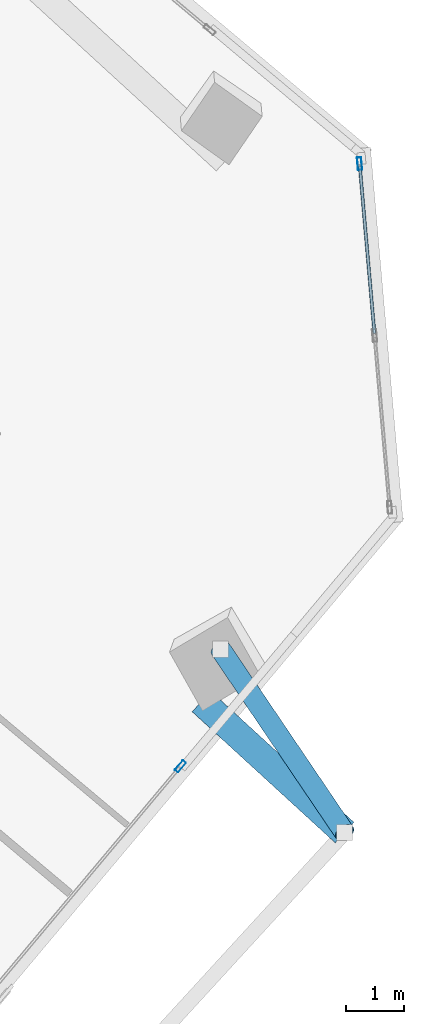
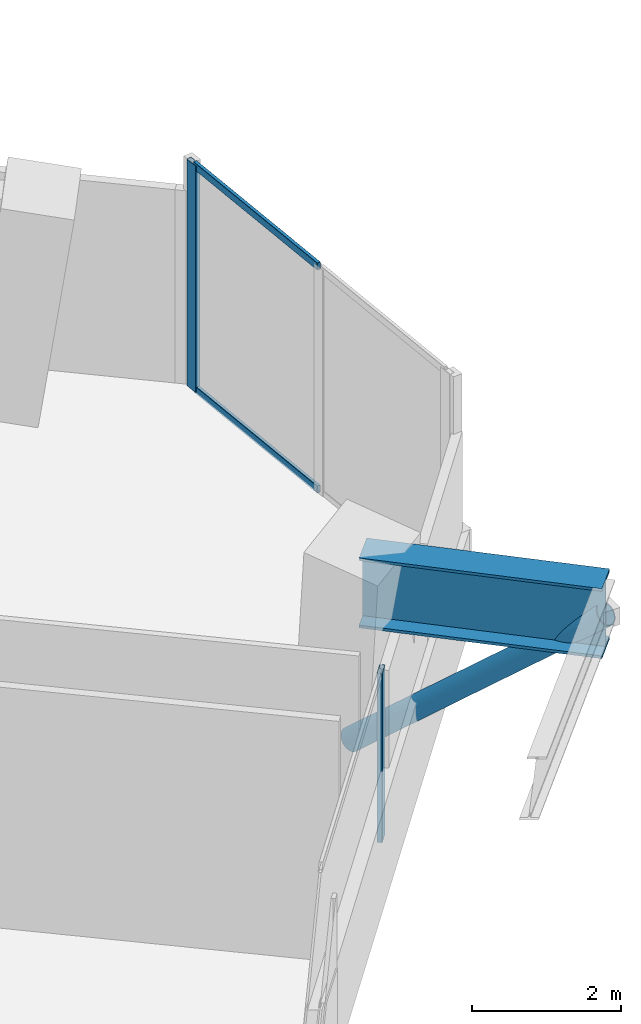
# One storey, part 7 of 18: 5 members, 1 beam, 2 elements without a shape of their own.
"""IFC4 building model written with IfcOpenShell, lengths in metres."""

import ifcopenshell
import ifcopenshell.guid

model = None  # the IFC model being written
_history = None  # IfcOwnerHistory: only IFC2X3 demands one
_inside = {}  # id of a spatial element -> (the spatial element, [elements in it])
_under = {}  # id of a project, library or spatial element -> (it, [spatial elements below it])
_declared = {}  # id of a project -> (the project, [libraries it declares])
_typed = {}  # id of a type object -> (the type object, [elements of that type])
_made_of = {}  # id of a material, layer set ... -> (it, [elements and type objects made of it])


def new_model(schema):
    """Start an empty IFC model of exactly this schema.

    Asked for "IFC4X3", IfcOpenShell would pick the latest addendum, in which some entities
    have other attributes; the version numbers below select the first issue.
    IFC2X3 requires an IfcOwnerHistory on every rooted entity: one is made here for all.
    """
    global model, _history
    if schema == "IFC4X3":
        model = ifcopenshell.file(schema_version=(4, 3, 0, 0))
    else:
        model = ifcopenshell.file(schema=schema)
    _inside.clear()
    _under.clear()
    _declared.clear()
    _typed.clear()
    _made_of.clear()
    _history = None
    if model.schema == "IFC2X3":
        org = make("IfcOrganization", Name="unknown")
        user = make(
            "IfcPersonAndOrganization",
            ThePerson=make("IfcPerson", FamilyName="unknown"),
            TheOrganization=org,
        )
        app = make(
            "IfcApplication",
            ApplicationDeveloper=org,
            Version="unknown",
            ApplicationFullName="unknown",
            ApplicationIdentifier="unknown",
        )
        _history = make(
            "IfcOwnerHistory",
            OwningUser=user,
            OwningApplication=app,
            ChangeAction="ADDED",
            CreationDate=0,
        )
    return model


def make(cls, **values):
    """One entity of the class cls with the attributes given. An attribute that is None is left unset."""
    return model.create_entity(
        cls, **{name: value for name, value in values.items() if value is not None}
    )


def rooted(cls, **values):
    """An entity with a GlobalId (a new one), such as an element, a storey or a relation."""
    return make(cls, GlobalId=ifcopenshell.guid.new(), OwnerHistory=_history, **values)


def si_unit(unit_type, name, prefix=None):
    """IfcSIUnit, for example si_unit("LENGTHUNIT", "METRE", prefix="MILLI")."""
    return make("IfcSIUnit", UnitType=unit_type, Prefix=prefix, Name=name)


def assignment(units):
    """IfcUnitAssignment: the units of a project."""
    return None if units is None else make("IfcUnitAssignment", Units=units)


def point(xyz):
    """IfcCartesianPoint."""
    return None if xyz is None else make("IfcCartesianPoint", Coordinates=xyz)


def direction(xyz):
    """IfcDirection."""
    return None if xyz is None else make("IfcDirection", DirectionRatios=xyz)


def frame(location, z_axis=None, x_axis=None):
    """IfcAxis2Placement3D, a coordinate frame: its origin and axes. An axis left out is left unset."""
    return make(
        "IfcAxis2Placement3D",
        Location=point(location),
        Axis=direction(z_axis),
        RefDirection=direction(x_axis),
    )


def frame_2d(location, x_axis=None):
    """IfcAxis2Placement2D, a coordinate frame in the plane: its origin and x axis."""
    return make(
        "IfcAxis2Placement2D", Location=point(location), RefDirection=direction(x_axis)
    )


def origin():
    """The frame at (0, 0, 0) with its axes left unset."""
    return frame((0.0, 0.0, 0.0))


def origin_2d():
    """The frame at (0, 0) in the plane with its x axis left unset."""
    return frame_2d((0.0, 0.0))


def place(relative_to, where):
    """IfcLocalPlacement: puts the frame where relative to a parent placement (None: the world)."""
    return make(
        "IfcLocalPlacement", PlacementRelTo=relative_to, RelativePlacement=where
    )


def context(
    kind, dimensions, precision=None, world=None, true_north=None, identifier=None
):
    """IfcGeometricRepresentationContext, for example the 3D "Model" context."""
    return make(
        "IfcGeometricRepresentationContext",
        ContextIdentifier=identifier,
        ContextType=kind,
        CoordinateSpaceDimension=dimensions,
        Precision=precision,
        WorldCoordinateSystem=world,
        TrueNorth=true_north,
    )


def subcontext(parent, identifier, kind, view, scale=None):
    """IfcGeometricRepresentationSubContext, for example "Body" below "Model"."""
    return make(
        "IfcGeometricRepresentationSubContext",
        ContextIdentifier=identifier,
        ContextType=kind,
        ParentContext=parent,
        TargetScale=scale,
        TargetView=view,
    )


def project(units=None, contexts=None):
    """IfcProject with its units and contexts."""
    return rooted(
        "IfcProject",
        Name="project",
        RepresentationContexts=contexts,
        UnitsInContext=assignment(units),
    )


def spatial(cls, under=None, at=None, **own):
    """A site, building, storey or space (cls), placed at a placement, below another one or the project."""
    s = rooted(cls, ObjectPlacement=at, **own)
    if under is not None:
        _under.setdefault(under.id(), (under, []))[1].append(s)
    return s


def profile(cls, at=None, kind="AREA", **sizes):
    """A parametric profile (cls). Its sizes go by their IFC names, for example OverallWidth=200.0."""
    return make(cls, ProfileType=kind, Position=at, **sizes)


def hollow_rectangle(**sizes):
    """IfcRectangleHollowProfileDef."""
    return profile("IfcRectangleHollowProfileDef", **sizes)


def hollow_circle(**sizes):
    """IfcCircleHollowProfileDef."""
    return profile("IfcCircleHollowProfileDef", **sizes)


def i_section(**sizes):
    """IfcIShapeProfileDef."""
    return profile("IfcIShapeProfileDef", **sizes)


def extrude(swept, where, along, depth):
    """IfcExtrudedAreaSolid: the profile swept, set in the frame where, extruded along a direction by depth."""
    return make(
        "IfcExtrudedAreaSolid",
        SweptArea=swept,
        Position=where,
        ExtrudedDirection=direction(along),
        Depth=depth,
    )


def shape(context_of_items, identifier, shape_type, items):
    """IfcShapeRepresentation: the items that make up one representation, for example the "Body"."""
    return make(
        "IfcShapeRepresentation",
        ContextOfItems=context_of_items,
        RepresentationIdentifier=identifier,
        RepresentationType=shape_type,
        Items=items,
    )


def source(mapping_origin, context_of_items, identifier, shape_type, items):
    """IfcRepresentationMap: a shape defined once, which mapped items show again and again."""
    return make(
        "IfcRepresentationMap",
        MappingOrigin=mapping_origin,
        MappedRepresentation=shape(context_of_items, identifier, shape_type, items),
    )


def transform(
    local_origin,
    x_axis=None,
    y_axis=None,
    z_axis=None,
    scale=None,
    scale2=None,
    scale3=None,
    uniform=True,
):
    """IfcCartesianTransformationOperator3D, or its non-uniform kind. x_axis, y_axis, z_axis: its Axis1, 2, 3."""
    if uniform:
        return make(
            "IfcCartesianTransformationOperator3D",
            Axis1=direction(x_axis),
            Axis2=direction(y_axis),
            LocalOrigin=point(local_origin),
            Scale=scale,
            Axis3=direction(z_axis),
        )
    return make(
        "IfcCartesianTransformationOperator3DnonUniform",
        Axis1=direction(x_axis),
        Axis2=direction(y_axis),
        LocalOrigin=point(local_origin),
        Scale=scale,
        Axis3=direction(z_axis),
        Scale2=scale2,
        Scale3=scale3,
    )


def mapped(mapping_source, mapping_target):
    """IfcMappedItem: shows the shape of a source again, moved by a transform."""
    return make(
        "IfcMappedItem", MappingSource=mapping_source, MappingTarget=mapping_target
    )


def material(Name=None, Category=None):
    """IfcMaterial."""
    return make("IfcMaterial", Name=Name, Category=Category)


def material_profile(
    of_material, cross_section, Name=None, Category=None, Priority=None
):
    """IfcMaterialProfile: a cross section and its material."""
    return make(
        "IfcMaterialProfile",
        Name=Name,
        Material=of_material,
        Profile=cross_section,
        Priority=Priority,
        Category=Category,
    )


def profile_set(profiles, Name=None, composite=None):
    """IfcMaterialProfileSet."""
    return make(
        "IfcMaterialProfileSet",
        Name=Name,
        MaterialProfiles=profiles,
        CompositeProfile=composite,
    )


def made_of(thing, what):
    """Note that an element or type object is made of a material, layer set ...; save() writes the relation."""
    if what is not None:
        _made_of.setdefault(what.id(), (what, []))[1].append(thing)
    return thing


def type_object(cls, material=None, **own):
    """A type object (cls), such as IfcWallType, which elements share."""
    return made_of(rooted(cls, **own), material)


def element(
    cls,
    number,
    at=None,
    inside=None,
    cuts=None,
    type_object=None,
    material=None,
    context=None,
    identifier="Body",
    shape_type=None,
    held_by="IfcProductDefinitionShape",
    body=None,
    shapes=None,
    **own,
):
    """One element of the class cls, such as IfcWall. Its Tag is "e" and its number.

    at: its placement. inside: the storey or other place that contains it. cuts: it is an
    opening in that element (IfcRelVoidsElement). A single representation is given by context,
    identifier, shape_type and body (its items); several are given by shapes. held_by: the class
    of the entity that holds the representations. save() writes the other relations.
    """
    e = rooted(cls, Tag="e%d" % number, ObjectPlacement=at, **own)
    if body is not None:
        shapes = [shape(context, identifier, shape_type, body)]
    if shapes is not None:
        e.Representation = make(held_by, Representations=shapes)
    if inside is not None:
        _inside.setdefault(inside.id(), (inside, []))[1].append(e)
    if cuts is not None:
        rooted(
            "IfcRelVoidsElement", RelatingBuildingElement=cuts, RelatedOpeningElement=e
        )
    if type_object is not None:
        _typed.setdefault(type_object.id(), (type_object, []))[1].append(e)
    return made_of(e, material)


def aggregate(whole, parts):
    """IfcRelAggregates: a whole, such as a stair, and the parts it consists of."""
    return rooted("IfcRelAggregates", RelatingObject=whole, RelatedObjects=parts)


def save(model, path):
    """Write the relations noted so far, then the file.

    IfcRelAggregates (storeys below a building ...), IfcRelContainedInSpatialStructure (elements
    in a storey), IfcRelDefinesByType, IfcRelAssociatesMaterial and IfcRelDeclares: one each for
    every whole, place, type object, material and project.
    """
    for whole, parts in _under.values():
        aggregate(whole, parts)
    for where, things in _inside.values():
        rooted(
            "IfcRelContainedInSpatialStructure",
            RelatedElements=things,
            RelatingStructure=where,
        )
    for kind, things in _typed.values():
        rooted("IfcRelDefinesByType", RelatedObjects=things, RelatingType=kind)
    for what, things in _made_of.values():
        rooted("IfcRelAssociatesMaterial", RelatedObjects=things, RelatingMaterial=what)
    for by, libraries in _declared.values():
        rooted("IfcRelDeclares", RelatingContext=by, RelatedDefinitions=libraries)
    model.write(path)


model = new_model("IFC4")

# Units and contexts
model_context = context("Model", 3, precision=1e-05, world=origin(), true_north=direction((0.0, 1.0)))
body_context = subcontext(model_context, "Body", "Model", "MODEL_VIEW")
ifc_project = project(units=[si_unit("LENGTHUNIT", "METRE"), si_unit("AREAUNIT", "SQUARE_METRE"), si_unit("VOLUMEUNIT", "CUBIC_METRE"), si_unit("PLANEANGLEUNIT", "RADIAN"), si_unit("MASSUNIT", "GRAM", prefix="KILO")], contexts=[model_context])

# Site, building, storey
site_placement = place(None, origin())
site = spatial("IfcSite", under=ifc_project, at=site_placement, CompositionType="ELEMENT")
building_placement = place(site_placement, origin())
building = spatial("IfcBuilding", under=site, at=building_placement, Name="Torre Montelarca", CompositionType="ELEMENT")
storey_placement = place(building_placement, frame((0.0, 0.0, 224.800048828125)))
storey = spatial("IfcBuildingStorey", under=building, at=storey_placement, Name="L50", CompositionType="ELEMENT", Elevation=224.800048828125)

# Member
ifc_material_1 = material(Name="Steel ASTM A500 Grade C", Category="steel")
ifc_material_profile_1 = material_profile(ifc_material_1, hollow_circle(Radius=0.177734375, WallThickness=0.015869140625, at=origin_2d()), Name="HSS355.6X15.9", Category="steel")
ifc_profile_set_1 = profile_set([ifc_material_profile_1], Name="Steel ASTM A500 Grade C")
member_type_1 = type_object("IfcMemberType", Name="MB-BR-CHS356-EXT", PredefinedType="BRACE", material=ifc_profile_set_1)
shared_shape_1 = source(origin(), body_context, "Body", "SweptSolid", [
    extrude(hollow_circle(Radius=0.177734375, WallThickness=0.015869140625, at=origin_2d()), origin(), (0.0, 0.0, 1.0), 5.0078125),
])
member_1_placement = place(storey_placement, frame((42.34619140625, 24.951171875, 0.14990234375), z_axis=(0.427842984367, -0.632160435083, 0.64600585527), x_axis=(0.828158729493, 0.560493638469, 0.0)))
element("IfcMember", 1, at=member_1_placement, inside=storey, type_object=member_type_1, Name="L51 Sliding Tray Exterior Diagonal Raker Strut E3", PredefinedType="BRACE", context=body_context, shape_type="MappedRepresentation", body=[
    mapped(shared_shape_1, transform((0.0, 0.0, 0.0), scale=1.0)),
])

# Beam
ifc_material_2 = material(Name="Steel ASTM A572 Grade 50", Category="steel")
ifc_material_profile_2 = material_profile(ifc_material_2, i_section(OverallWidth=0.47998046875, OverallDepth=1.14990234375, WebThickness=0.02197265625, FlangeThickness=0.044921875, at=origin_2d()), Name="PG1150X480X22X45", Category="steel")
ifc_profile_set_2 = profile_set([ifc_material_profile_2], Name="Steel ASTM A572 Grade 50")
beam_type = type_object("IfcBeamType", Name="BM-CG-PG1400-EXT", PredefinedType="USERDEFINED", material=ifc_profile_set_2)
shared_shape_2 = source(origin(), body_context, "Body", "SweptSolid", [
    extrude(i_section(OverallWidth=0.47998046875, OverallDepth=1.14990234375, WebThickness=0.02197265625, FlangeThickness=0.044921875, at=origin_2d()), origin(), (0.0, 0.0, 1.0), 3.35009765625),
])
beam_placement = place(storey_placement, frame((42.018798828125, 24.048583984375, 3.385009765625), z_axis=(0.737296302726, -0.675569509367, 0.0), x_axis=(0.675569509367, 0.737296302726, 0.0)))
element("IfcBeam", 2, at=beam_placement, inside=storey, type_object=beam_type, Name="L50 Sliding Tray Cantilever Girder East Y=40m (FLR)", ObjectType="CANTILEVER GIRDER", PredefinedType="USERDEFINED", context=body_context, shape_type="MappedRepresentation", body=[
    mapped(shared_shape_2, transform((0.0, 0.0, 0.0), scale=1.0)),
])

# Curtain wall, members
ifc_material_3 = material(Name="Insulated low-E laminated glass", Category="glass")
curtain_wall_type = type_object("IfcCurtainWallType", Name="CW-SYS-Z3", PredefinedType="USERDEFINED", material=ifc_material_3)
curtain_wall_1_placement = place(storey_placement, origin())
curtain_wall_1 = element("IfcCurtainWall", 3, at=curtain_wall_1_placement, inside=storey, type_object=curtain_wall_type, Name="L50 Curtain Wall Run CW-T3-L50-E07-B1", ObjectType="UNITISED GLAZING", PredefinedType="USERDEFINED")
ifc_material_4 = material(Name="Anodised aluminium AA 6063-T6", Category="aluminium")
ifc_material_profile_3 = material_profile(ifc_material_4, hollow_rectangle(XDim=0.054931640625, YDim=0.1201171875, WallThickness=0.00341796875, InnerFilletRadius=0.00341796875, OuterFilletRadius=0.007080078125, at=origin_2d()), Name="ALU55X120X3.5", Category="aluminium")
ifc_profile_set_3 = profile_set([ifc_material_profile_3], Name="Anodised aluminium AA 6063-T6")
member_type_2 = type_object("IfcMemberType", Name="CWT-ALU120", PredefinedType="USERDEFINED", material=ifc_profile_set_3)
shared_shape_3 = source(origin(), body_context, "Body", "SweptSolid", [
    extrude(hollow_rectangle(XDim=0.054931640625, YDim=0.1201171875, WallThickness=0.00341796875, InnerFilletRadius=0.00341796875, OuterFilletRadius=0.007080078125, at=origin_2d()), origin(), (0.0, 0.0, 1.0), 2.9033203125),
])
member_2_placement = place(storey_placement, frame((45.00390625, 30.403076171875, 0.02734375), z_axis=(-0.08719928677, 0.996190887524, 0.0), x_axis=(-0.996190887524, -0.08719928677, 0.0)))
member_2 = element("IfcMember", 4, at=member_2_placement, type_object=member_type_2, Name="CW transom 2.1", ObjectType="TRANSOM", PredefinedType="USERDEFINED", context=body_context, shape_type="MappedRepresentation", body=[
    mapped(shared_shape_3, transform((0.0, 0.0, 0.0), scale=1.0)),
])
member_3_placement = place(storey_placement, frame((45.00390625, 30.403076171875, 3.6923828125), z_axis=(-0.08719928677, 0.996190887524, 0.0), x_axis=(-0.996190887524, -0.08719928677, 0.0)))
member_3 = element("IfcMember", 5, at=member_3_placement, type_object=member_type_2, Name="CW transom 2.2", ObjectType="TRANSOM", PredefinedType="USERDEFINED", context=body_context, shape_type="MappedRepresentation", body=[
    mapped(shared_shape_3, transform((0.0, 0.0, 0.0), scale=1.0)),
])
ifc_material_profile_4 = material_profile(ifc_material_4, hollow_rectangle(XDim=0.074951171875, YDim=0.219970703125, WallThickness=0.0048828125, InnerFilletRadius=0.0048828125, OuterFilletRadius=0.010009765625, at=origin_2d()), Name="ALU75X220X5", Category="aluminium")
ifc_profile_set_4 = profile_set([ifc_material_profile_4], Name="Anodised aluminium AA 6063-T6")
member_type_3 = type_object("IfcMemberType", Name="CWM-ALU220", PredefinedType="MULLION", material=ifc_profile_set_4)
shared_shape_4 = source(origin(), body_context, "Body", "SweptSolid", [
    extrude(hollow_rectangle(XDim=0.074951171875, YDim=0.219970703125, WallThickness=0.0048828125, InnerFilletRadius=0.0048828125, OuterFilletRadius=0.010009765625, at=origin_2d()), origin(), (0.0, 0.0, 1.0), 3.719970703125),
])
member_4_placement = place(storey_placement, frame((44.74755859375, 33.332763671875, 0.0), z_axis=(0.0, 0.0, 1.0), x_axis=(-0.996192349816, -0.087182579501, 0.0)))
member_4 = element("IfcMember", 6, at=member_4_placement, type_object=member_type_3, Name="CW mullion 3", PredefinedType="MULLION", context=body_context, shape_type="MappedRepresentation", body=[
    mapped(shared_shape_4, transform((0.0, 0.0, 0.0), scale=1.0)),
])
aggregate(curtain_wall_1, [member_4, member_2, member_3])

# Curtain wall, member
curtain_wall_2_placement = place(storey_placement, origin())
curtain_wall_2 = element("IfcCurtainWall", 7, at=curtain_wall_2_placement, inside=storey, type_object=curtain_wall_type, Name="L50 Curtain Wall Run CW-T3-L50-E06-B1", ObjectType="UNITISED GLAZING", PredefinedType="USERDEFINED")
shared_shape_5 = source(origin(), body_context, "Body", "SweptSolid", [
    extrude(hollow_rectangle(XDim=0.074951171875, YDim=0.219970703125, WallThickness=0.0048828125, InnerFilletRadius=0.0048828125, OuterFilletRadius=0.010009765625, at=origin_2d()), origin(), (0.0, 0.0, 1.0), 2.77490234375),
])
member_5_placement = place(storey_placement, frame((41.654296875, 22.928466796875, 0.0), z_axis=(0.0, 0.0, 1.0), x_axis=(-0.766041477678, 0.642791143744, 0.0)))
member_5 = element("IfcMember", 8, at=member_5_placement, type_object=member_type_3, Name="CW mullion 3", PredefinedType="MULLION", context=body_context, shape_type="MappedRepresentation", body=[
    mapped(shared_shape_5, transform((0.0, 0.0, 0.0), scale=1.0)),
])
aggregate(curtain_wall_2, [member_5])

save(model, "model.ifc")
